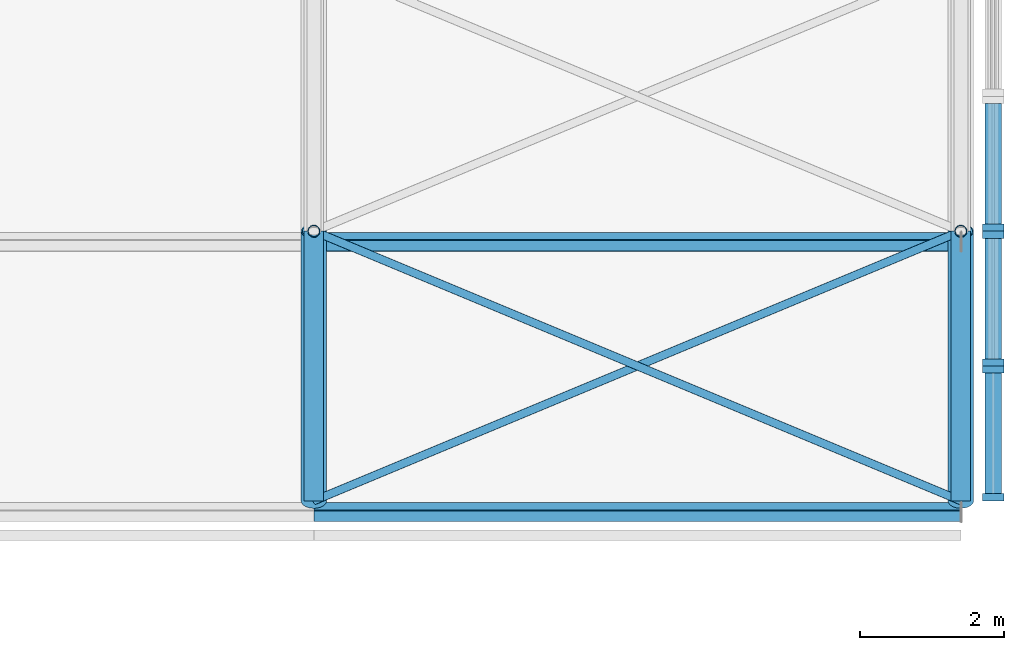
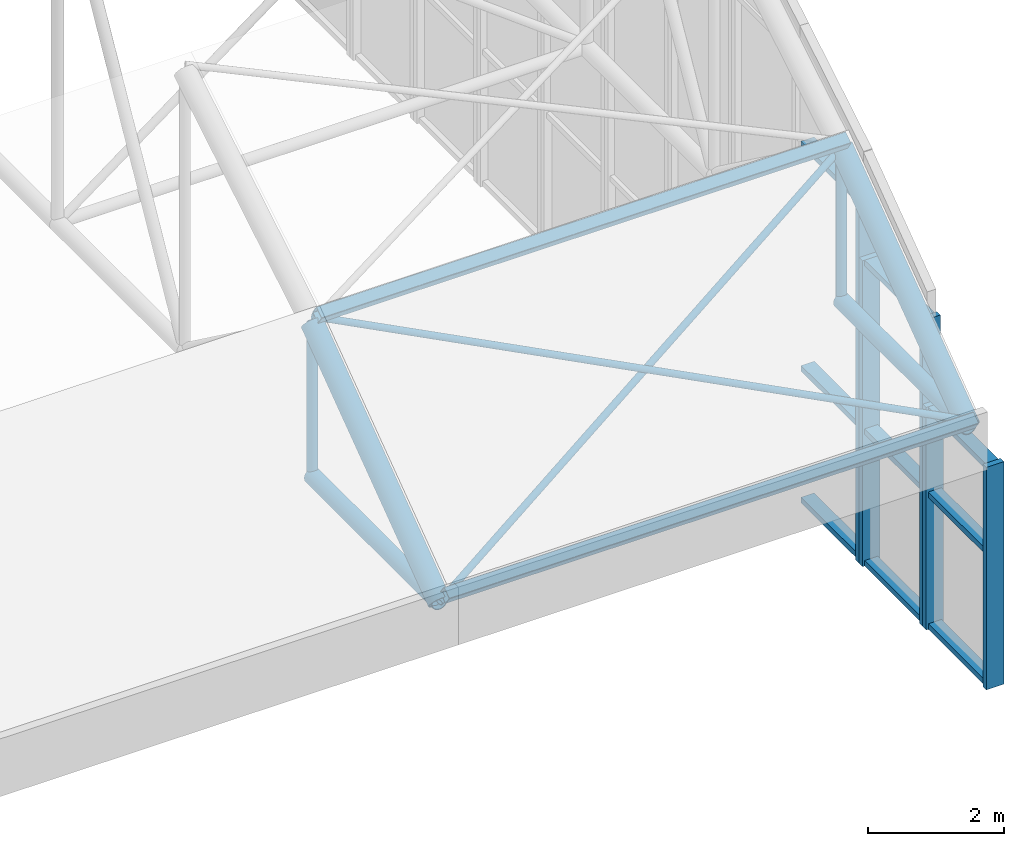
# One storey, part 59 of 153: 24 members, 3 elements without a shape of their own.
"""IFC4 building model written with IfcOpenShell, lengths in metres."""

from ifc_helpers import new_model, si_unit, direction, frame, origin, origin_2d, place, context, subcontext, project, spatial, rectangle, hollow_rectangle, hollow_circle, extrude, material, material_profile, profile_set, type_object, element, aggregate, save


model = new_model("IFC4")

# Units and contexts
model_context = context("Model", 3, precision=1e-05, world=origin(), true_north=direction((0.0, 1.0)))
body_context = subcontext(model_context, "Body", "Model", "MODEL_VIEW")
ifc_project = project(units=[si_unit("LENGTHUNIT", "METRE"), si_unit("AREAUNIT", "SQUARE_METRE"), si_unit("VOLUMEUNIT", "CUBIC_METRE"), si_unit("PLANEANGLEUNIT", "RADIAN"), si_unit("MASSUNIT", "GRAM", prefix="KILO")], contexts=[model_context])

# Site, building, storey
site_placement = place(None, origin())
site = spatial("IfcSite", under=ifc_project, at=site_placement, CompositionType="ELEMENT")
building_placement = place(site_placement, origin())
building = spatial("IfcBuilding", under=site, at=building_placement, Name="Baradari Gate Terminus", CompositionType="ELEMENT")
storey_placement = place(building_placement, frame((0.0, 0.0, 11.699951171875)))
storey = spatial("IfcBuildingStorey", under=building, at=storey_placement, Name="L02", CompositionType="ELEMENT", Elevation=11.699951171875)

# Curtain wall, members
ifc_material_1 = material(Name="Aluminium 6063-T6", Category="aluminium")
curtain_wall_type_1 = type_object("IfcCurtainWallType", Name="Curtain wall CW-14 gable screen, other height", PredefinedType="NOTDEFINED", material=ifc_material_1)
curtain_wall_1_placement = place(storey_placement, origin())
curtain_wall_1 = element("IfcCurtainWall", 1, at=curtain_wall_1_placement, inside=storey, type_object=curtain_wall_type_1, Name="Gable glazing curtain wall CW-14 cell 01a", PredefinedType="NOTDEFINED")
ifc_material_2 = material(Name="Aluminium 6063-T6", Category="aluminium")
ifc_material_profile_1 = material_profile(ifc_material_2, rectangle(XDim=0.300048828125, YDim=0.10009765625, at=origin_2d()), Name="CM-14 100X300")
ifc_profile_set_1 = profile_set([ifc_material_profile_1], Name="Aluminium 6063-T6")
member_type_1 = type_object("IfcMemberType", Name="Curtain wall mullion CM-14 100x300", PredefinedType="MULLION", material=ifc_profile_set_1)
member_1_placement = place(storey_placement, frame((243.449951171875, 36.050048828125, -4.699951171875), z_axis=(0.0, 0.0, 1.0), x_axis=(-1.0, 0.0, 0.0)))
member_1 = element("IfcMember", 2, at=member_1_placement, type_object=member_type_1, Name="CW-14 mullion 1", PredefinedType="MULLION", context=body_context, shape_type="SweptSolid", body=[
    extrude(rectangle(XDim=0.300048828125, YDim=0.10009765625, at=origin_2d()), origin(), (0.0, 0.0, 1.0), 4.0),
])
member_2_placement = place(storey_placement, frame((243.449951171875, 37.824951171875, -4.699951171875), z_axis=(0.0, 0.0, 1.0), x_axis=(-1.0, 0.0, 0.0)))
member_2 = element("IfcMember", 3, at=member_2_placement, type_object=member_type_1, Name="CW-14 mullion 2", PredefinedType="MULLION", context=body_context, shape_type="SweptSolid", body=[
    extrude(rectangle(XDim=0.300048828125, YDim=0.10009765625, at=origin_2d()), origin(), (0.0, 0.0, 1.0), 4.0),
])

ifc_material_3 = material(Name="Aluminium 6063-T6", Category="aluminium")
curtain_wall_type_2 = type_object("IfcCurtainWallType", Name="Curtain wall CW-15 gable screen, other height", PredefinedType="NOTDEFINED", material=ifc_material_3)
curtain_wall_2_placement = place(storey_placement, origin())
curtain_wall_2 = element("IfcCurtainWall", 4, at=curtain_wall_2_placement, inside=storey, type_object=curtain_wall_type_2, Name="Gable glazing curtain wall CW-15 cell 01b", PredefinedType="NOTDEFINED")
ifc_material_4 = material(Name="Aluminium 6063-T6", Category="aluminium")
ifc_material_profile_2 = material_profile(ifc_material_4, rectangle(XDim=0.300048828125, YDim=0.10009765625, at=origin_2d()), Name="CM-15 100X300")
ifc_profile_set_2 = profile_set([ifc_material_profile_2], Name="Aluminium 6063-T6")
member_type_2 = type_object("IfcMemberType", Name="Curtain wall mullion CM-15 100x300", PredefinedType="MULLION", material=ifc_profile_set_2)
member_3_placement = place(storey_placement, frame((243.449951171875, 37.925048828125, -4.699951171875), z_axis=(0.0, 0.0, 1.0), x_axis=(-1.0, 0.0, 0.0)))
member_3 = element("IfcMember", 5, at=member_3_placement, type_object=member_type_2, Name="CW-15 mullion 1", PredefinedType="MULLION", context=body_context, shape_type="SweptSolid", body=[
    extrude(rectangle(XDim=0.300048828125, YDim=0.10009765625, at=origin_2d()), origin(), (0.0, 0.0, 1.0), 5.5),
])
member_4_placement = place(storey_placement, frame((243.449951171875, 39.699951171875, -4.699951171875), z_axis=(0.0, 0.0, 1.0), x_axis=(-1.0, 0.0, 0.0)))
member_4 = element("IfcMember", 6, at=member_4_placement, type_object=member_type_2, Name="CW-15 mullion 2", PredefinedType="MULLION", context=body_context, shape_type="SweptSolid", body=[
    extrude(rectangle(XDim=0.300048828125, YDim=0.10009765625, at=origin_2d()), origin(), (0.0, 0.0, 1.0), 5.5),
])

# Curtain wall, member
ifc_material_5 = material(Name="Aluminium 6063-T6", Category="aluminium")
curtain_wall_type_3 = type_object("IfcCurtainWallType", Name="Curtain wall CW-16 gable screen, other height", PredefinedType="NOTDEFINED", material=ifc_material_5)
curtain_wall_3_placement = place(storey_placement, origin())
curtain_wall_3 = element("IfcCurtainWall", 7, at=curtain_wall_3_placement, inside=storey, type_object=curtain_wall_type_3, Name="Gable glazing curtain wall CW-16 cell 02a", PredefinedType="NOTDEFINED")
ifc_material_6 = material(Name="Aluminium 6063-T6", Category="aluminium")
ifc_material_profile_3 = material_profile(ifc_material_6, rectangle(XDim=0.300048828125, YDim=0.10009765625, at=origin_2d()), Name="CM-16 100X300")
ifc_profile_set_3 = profile_set([ifc_material_profile_3], Name="Aluminium 6063-T6")
member_type_3 = type_object("IfcMemberType", Name="Curtain wall mullion CM-16 100x300", PredefinedType="MULLION", material=ifc_profile_set_3)
member_5_placement = place(storey_placement, frame((243.449951171875, 39.800048828125, -4.699951171875), z_axis=(0.0, 0.0, 1.0), x_axis=(-1.0, 0.0, 0.0)))
member_5 = element("IfcMember", 8, at=member_5_placement, type_object=member_type_3, Name="CW-16 mullion 1", PredefinedType="MULLION", context=body_context, shape_type="SweptSolid", body=[
    extrude(rectangle(XDim=0.300048828125, YDim=0.10009765625, at=origin_2d()), origin(), (0.0, 0.0, 1.0), 6.5),
])

# Member
ifc_material_7 = material(Name="Aluminium 6063-T6", Category="aluminium")
ifc_material_profile_4 = material_profile(ifc_material_7, rectangle(XDim=0.22509765625, YDim=0.10009765625, at=origin_2d()), Name="CT-14 100X225")
ifc_profile_set_4 = profile_set([ifc_material_profile_4], Name="Aluminium 6063-T6")
member_type_4 = type_object("IfcMemberType", Name="Curtain wall transom CT-14 100x225", PredefinedType="USERDEFINED", material=ifc_profile_set_4)
member_6_placement = place(storey_placement, frame((243.449951171875, 36.10009765625, -4.64990234375), z_axis=(0.0, 1.0, 0.0), x_axis=(-1.0, 0.0, 0.0)))
member_6 = element("IfcMember", 9, at=member_6_placement, type_object=member_type_4, Name="CW-14 transom 1.1", ObjectType="TRANSOM", PredefinedType="USERDEFINED", context=body_context, shape_type="SweptSolid", body=[
    extrude(rectangle(XDim=0.22509765625, YDim=0.10009765625, at=origin_2d()), origin(), (0.0, 0.0, 1.0), 1.6748046875),
])

member_7_placement = place(storey_placement, frame((243.449951171875, 36.10009765625, -2.28173828125), z_axis=(0.0, 1.0, 0.0), x_axis=(-1.0, 0.0, 0.0)))
member_7 = element("IfcMember", 10, at=member_7_placement, type_object=member_type_4, Name="CW-14 transom 1.2", ObjectType="TRANSOM", PredefinedType="USERDEFINED", context=body_context, shape_type="SweptSolid", body=[
    extrude(rectangle(XDim=0.22509765625, YDim=0.10009765625, at=origin_2d()), origin(), (0.0, 0.0, 1.0), 1.6748046875),
])

member_8_placement = place(storey_placement, frame((243.449951171875, 36.10009765625, -0.75), z_axis=(0.0, 1.0, 0.0), x_axis=(-1.0, 0.0, 0.0)))
member_8 = element("IfcMember", 11, at=member_8_placement, type_object=member_type_4, Name="CW-14 transom 1.3", ObjectType="TRANSOM", PredefinedType="USERDEFINED", context=body_context, shape_type="SweptSolid", body=[
    extrude(rectangle(XDim=0.22509765625, YDim=0.10009765625, at=origin_2d()), origin(), (0.0, 0.0, 1.0), 1.6748046875),
])

aggregate(curtain_wall_1, [member_1, member_2, member_6, member_7, member_8])

ifc_material_8 = material(Name="Aluminium 6063-T6", Category="aluminium")
ifc_material_profile_5 = material_profile(ifc_material_8, rectangle(XDim=0.22509765625, YDim=0.10009765625, at=origin_2d()), Name="CT-15 100X225")
ifc_profile_set_5 = profile_set([ifc_material_profile_5], Name="Aluminium 6063-T6")
member_type_5 = type_object("IfcMemberType", Name="Curtain wall transom CT-15 100x225", PredefinedType="USERDEFINED", material=ifc_profile_set_5)
member_9_placement = place(storey_placement, frame((243.449951171875, 37.97509765625, -4.64990234375), z_axis=(0.0, 1.0, 0.0), x_axis=(-1.0, 0.0, 0.0)))
member_9 = element("IfcMember", 12, at=member_9_placement, type_object=member_type_5, Name="CW-15 transom 1.1", ObjectType="TRANSOM", PredefinedType="USERDEFINED", context=body_context, shape_type="SweptSolid", body=[
    extrude(rectangle(XDim=0.22509765625, YDim=0.10009765625, at=origin_2d()), origin(), (0.0, 0.0, 1.0), 1.6748046875),
])

member_10_placement = place(storey_placement, frame((243.449951171875, 37.97509765625, -2.28173828125), z_axis=(0.0, 1.0, 0.0), x_axis=(-1.0, 0.0, 0.0)))
member_10 = element("IfcMember", 13, at=member_10_placement, type_object=member_type_5, Name="CW-15 transom 1.2", ObjectType="TRANSOM", PredefinedType="USERDEFINED", context=body_context, shape_type="SweptSolid", body=[
    extrude(rectangle(XDim=0.22509765625, YDim=0.10009765625, at=origin_2d()), origin(), (0.0, 0.0, 1.0), 1.6748046875),
])

member_11_placement = place(storey_placement, frame((243.449951171875, 37.97509765625, 0.75), z_axis=(0.0, 1.0, 0.0), x_axis=(-1.0, 0.0, 0.0)))
member_11 = element("IfcMember", 14, at=member_11_placement, type_object=member_type_5, Name="CW-15 transom 1.3", ObjectType="TRANSOM", PredefinedType="USERDEFINED", context=body_context, shape_type="SweptSolid", body=[
    extrude(rectangle(XDim=0.22509765625, YDim=0.10009765625, at=origin_2d()), origin(), (0.0, 0.0, 1.0), 1.6748046875),
])

aggregate(curtain_wall_2, [member_3, member_4, member_9, member_10, member_11])

ifc_material_9 = material(Name="Aluminium 6063-T6", Category="aluminium")
ifc_material_profile_6 = material_profile(ifc_material_9, rectangle(XDim=0.22509765625, YDim=0.10009765625, at=origin_2d()), Name="CT-16 100X225")
ifc_profile_set_6 = profile_set([ifc_material_profile_6], Name="Aluminium 6063-T6")
member_type_6 = type_object("IfcMemberType", Name="Curtain wall transom CT-16 100x225", PredefinedType="USERDEFINED", material=ifc_profile_set_6)
member_12_placement = place(storey_placement, frame((243.449951171875, 39.85009765625, -4.64990234375), z_axis=(0.0, 1.0, 0.0), x_axis=(-1.0, 0.0, 0.0)))
member_12 = element("IfcMember", 15, at=member_12_placement, type_object=member_type_6, Name="CW-16 transom 1.1", ObjectType="TRANSOM", PredefinedType="USERDEFINED", context=body_context, shape_type="SweptSolid", body=[
    extrude(rectangle(XDim=0.22509765625, YDim=0.10009765625, at=origin_2d()), origin(), (0.0, 0.0, 1.0), 1.6748046875),
])

member_13_placement = place(storey_placement, frame((243.449951171875, 39.85009765625, -2.28173828125), z_axis=(0.0, 1.0, 0.0), x_axis=(-1.0, 0.0, 0.0)))
member_13 = element("IfcMember", 16, at=member_13_placement, type_object=member_type_6, Name="CW-16 transom 1.2", ObjectType="TRANSOM", PredefinedType="USERDEFINED", context=body_context, shape_type="SweptSolid", body=[
    extrude(rectangle(XDim=0.22509765625, YDim=0.10009765625, at=origin_2d()), origin(), (0.0, 0.0, 1.0), 1.6748046875),
])

member_14_placement = place(storey_placement, frame((243.449951171875, 39.85009765625, 1.75), z_axis=(0.0, 1.0, 0.0), x_axis=(-1.0, 0.0, 0.0)))
member_14 = element("IfcMember", 17, at=member_14_placement, type_object=member_type_6, Name="CW-16 transom 1.3", ObjectType="TRANSOM", PredefinedType="USERDEFINED", context=body_context, shape_type="SweptSolid", body=[
    extrude(rectangle(XDim=0.22509765625, YDim=0.10009765625, at=origin_2d()), origin(), (0.0, 0.0, 1.0), 1.6748046875),
])

aggregate(curtain_wall_3, [member_5, member_12, member_13, member_14])

# Members
ifc_material_10 = material(Name="Steel S355", Category="steel")
ifc_material_profile_7 = material_profile(ifc_material_10, hollow_circle(Radius=0.136474609375, WallThickness=0.012451171875, at=origin_2d()), Name="CHS 273x12.5")
ifc_profile_set_7 = profile_set([ifc_material_profile_7], Name="Steel S355")
member_type_7 = type_object("IfcMemberType", Name="Shed bottom chord CHS 273x12.5", PredefinedType="CHORD", material=ifc_profile_set_7)
for number, where, z_axis, x_axis, name in (
    (18, (234.0, 36.0, 0.136474609375), (0.0, 1.0, 0.0), (-1.0, 0.0, 0.0), "TR/L02/S234-BC00"),
    (19, (243.0, 36.0, 0.136474609375), (0.0, 1.0, 0.0), (-1.0, 0.0, 0.0), "TR/L02/S243-BC00"),
):
    element("IfcMember", number, at=place(storey_placement, frame(where, z_axis=z_axis, x_axis=x_axis)), inside=storey, type_object=member_type_7, Name=name, PredefinedType="CHORD", context=body_context, shape_type="SweptSolid", body=[
        extrude(hollow_circle(Radius=0.136474609375, WallThickness=0.012451171875, at=origin_2d()), origin(), (0.0, 0.0, 1.0), 3.75),
    ])
ifc_material_11 = material(Name="Steel S355", Category="steel")
ifc_material_profile_8 = material_profile(ifc_material_11, hollow_rectangle(XDim=0.199951171875, YDim=0.199951171875, WallThickness=0.008056640625, InnerFilletRadius=0.008056640625, OuterFilletRadius=0.01611328125, at=origin_2d()), Name="SHS 200x200x8")
ifc_profile_set_8 = profile_set([ifc_material_profile_8], Name="Steel S355")
member_type_8 = type_object("IfcMemberType", Name="Shed purlin SHS 200x200x8", PredefinedType="PURLIN", material=ifc_profile_set_8)
for number, where, z_axis, x_axis, name in (
    (20, (234.0, 35.8427734375, 0.350830078125), (1.0, 0.0, 0.0), (0.0, 0.80640499586, 0.591363663621), "TR/L02/B243-PU00"),
    (21, (234.0, 39.602783203125, 3.10791015625), (1.0, 0.0, 0.0), (0.0, 0.832836263724, 0.55351942859), "TR/L02/B243-PU01"),
):
    element("IfcMember", number, at=place(storey_placement, frame(where, z_axis=z_axis, x_axis=x_axis)), inside=storey, type_object=member_type_8, Name=name, PredefinedType="PURLIN", context=body_context, shape_type="SweptSolid", body=[
        extrude(hollow_rectangle(XDim=0.199951171875, YDim=0.199951171875, WallThickness=0.008056640625, InnerFilletRadius=0.008056640625, OuterFilletRadius=0.01611328125, at=origin_2d()), origin(), (0.0, 0.0, 1.0), 9.0),
    ])
ifc_material_12 = material(Name="Steel S355", Category="steel")
ifc_material_profile_9 = material_profile(ifc_material_12, hollow_circle(Radius=0.05712890625, WallThickness=0.00634765625, at=origin_2d()), Name="CHS 114.3x6.3")
ifc_profile_set_9 = profile_set([ifc_material_profile_9], Name="Steel S355")
member_type_9 = type_object("IfcMemberType", Name="Shed roof brace CHS 114.3x6.3", PredefinedType="BRACE", material=ifc_profile_set_9)
for number, where, z_axis, x_axis, name in (
    (22, (234.0, 36.0, 0.136474609375), (0.888415085526, 0.370172952302, 0.271460165022), (-0.384615384615, 0.923076923077, 0.0), "TR/L02/B243-RB00A"),
    (23, (243.0, 36.0, 0.250732421875), (-0.888415085526, 0.370172952302, 0.271460165022), (-0.384615384615, -0.923076923077, 0.0), "TR/L02/B243-RB00B"),
):
    element("IfcMember", number, at=place(storey_placement, frame(where, z_axis=z_axis, x_axis=x_axis)), inside=storey, type_object=member_type_9, Name=name, PredefinedType="BRACE", context=body_context, shape_type="SweptSolid", body=[
        extrude(hollow_circle(Radius=0.05712890625, WallThickness=0.00634765625, at=origin_2d()), origin(), (0.0, 0.0, 1.0), 10.13037109375),
    ])
ifc_material_13 = material(Name="Steel S355", Category="steel")
ifc_material_profile_10 = material_profile(ifc_material_13, hollow_circle(Radius=0.177734375, WallThickness=0.01611328125, at=origin_2d()), Name="CHS 355.6x16")
ifc_profile_set_10 = profile_set([ifc_material_profile_10], Name="Steel S355")
member_type_10 = type_object("IfcMemberType", Name="Shed top chord CHS 355.6x16", PredefinedType="CHORD", material=ifc_profile_set_10)
for number, where, z_axis, x_axis, name in (
    (24, (234.0, 36.0, 0.136474609375), (0.0, 0.806404995856, 0.591363663628), (-1.0, 0.0, 0.0), "TR/L02/S234-TC00"),
    (25, (243.0, 36.0, 0.136474609375), (0.0, 0.806404995856, 0.591363663628), (-1.0, 0.0, 0.0), "TR/L02/S243-TC00"),
):
    element("IfcMember", number, at=place(storey_placement, frame(where, z_axis=z_axis, x_axis=x_axis)), inside=storey, type_object=member_type_10, Name=name, PredefinedType="CHORD", context=body_context, shape_type="SweptSolid", body=[
        extrude(hollow_circle(Radius=0.177734375, WallThickness=0.01611328125, at=origin_2d()), origin(), (0.0, 0.0, 1.0), 4.650390625),
    ])
ifc_material_14 = material(Name="Steel S355", Category="steel")
ifc_material_profile_11 = material_profile(ifc_material_14, hollow_circle(Radius=0.084228515625, WallThickness=0.008056640625, at=origin_2d()), Name="CHS 168.3x8")
ifc_profile_set_11 = profile_set([ifc_material_profile_11], Name="Steel S355")
member_type_11 = type_object("IfcMemberType", Name="Shed truss post CHS 168.3x8", PredefinedType="POST", material=ifc_profile_set_11)
for number, where, z_axis, x_axis, name in (
    (26, (234.0, 39.75, 0.136474609375), (0.0, 0.0, 1.0), (1.0, 0.0, 0.0), "TR/L02/S234-SP01"),
    (27, (243.0, 39.75, 0.136474609375), (0.0, 0.0, 1.0), (1.0, 0.0, 0.0), "TR/L02/S243-SP01"),
):
    element("IfcMember", number, at=place(storey_placement, frame(where, z_axis=z_axis, x_axis=x_axis)), inside=storey, type_object=member_type_11, Name=name, PredefinedType="POST", context=body_context, shape_type="SweptSolid", body=[
        extrude(hollow_circle(Radius=0.084228515625, WallThickness=0.008056640625, at=origin_2d()), origin(), (0.0, 0.0, 1.0), 2.75),
    ])

save(model, "model.ifc")
